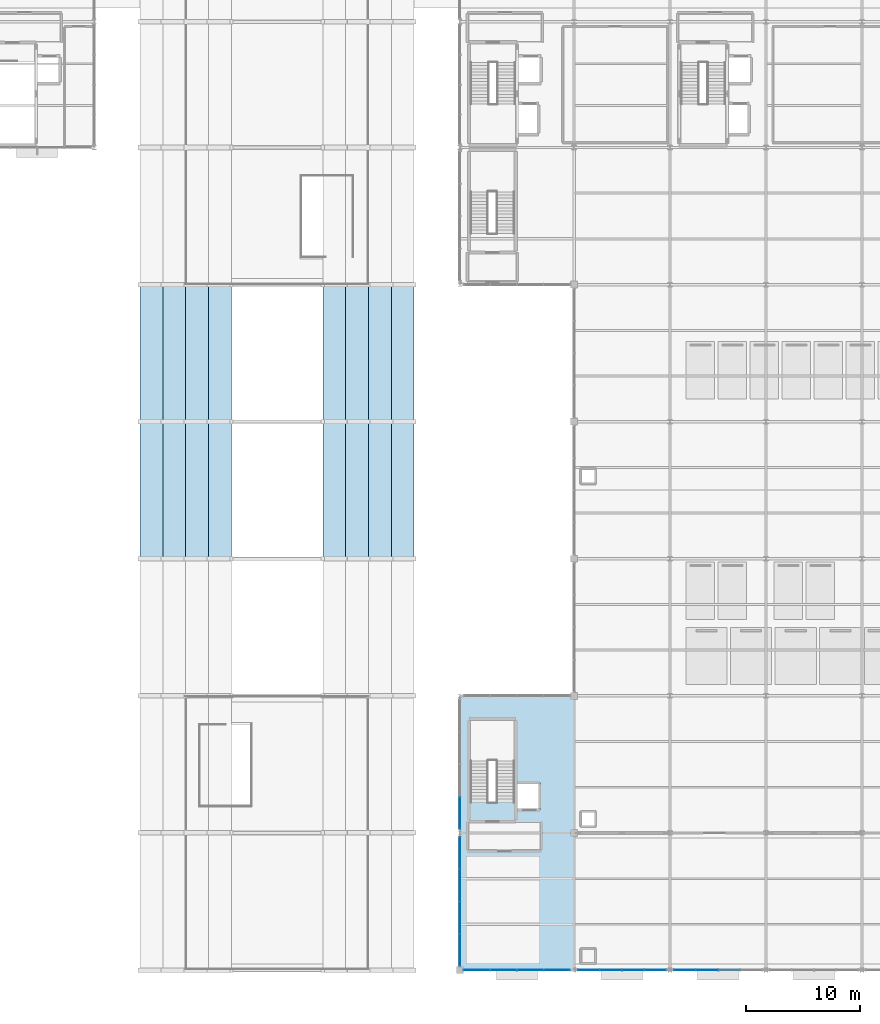
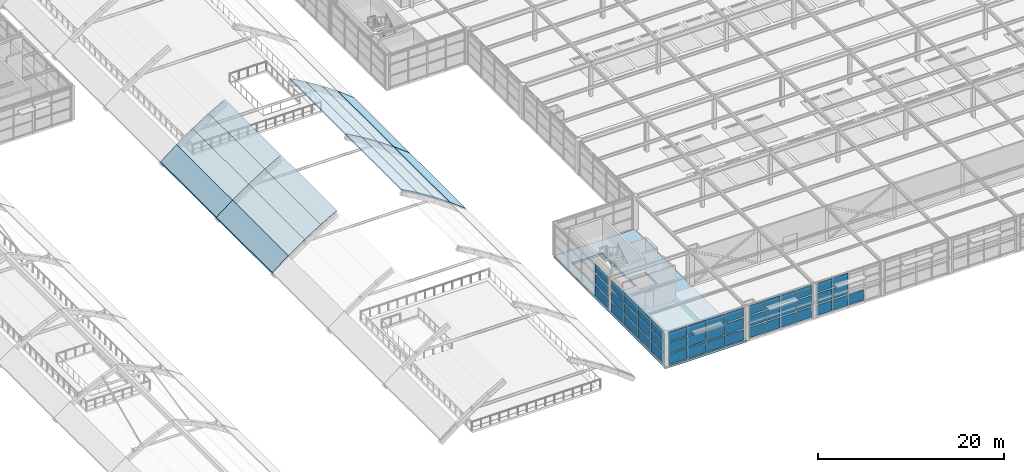
# One storey, part 45 of 82: 46 plates, 17 slabs, 5 elements without a shape of their own.
"""IFC4 building model written with IfcOpenShell, lengths in metres."""

import ifcopenshell
import ifcopenshell.guid

model = None  # the IFC model being written
_history = None  # IfcOwnerHistory: only IFC2X3 demands one
_inside = {}  # id of a spatial element -> (the spatial element, [elements in it])
_under = {}  # id of a project, library or spatial element -> (it, [spatial elements below it])
_declared = {}  # id of a project -> (the project, [libraries it declares])
_typed = {}  # id of a type object -> (the type object, [elements of that type])
_made_of = {}  # id of a material, layer set ... -> (it, [elements and type objects made of it])


def new_model(schema):
    """Start an empty IFC model of exactly this schema.

    Asked for "IFC4X3", IfcOpenShell would pick the latest addendum, in which some entities
    have other attributes; the version numbers below select the first issue.
    IFC2X3 requires an IfcOwnerHistory on every rooted entity: one is made here for all.
    """
    global model, _history
    if schema == "IFC4X3":
        model = ifcopenshell.file(schema_version=(4, 3, 0, 0))
    else:
        model = ifcopenshell.file(schema=schema)
    _inside.clear()
    _under.clear()
    _declared.clear()
    _typed.clear()
    _made_of.clear()
    _history = None
    if model.schema == "IFC2X3":
        org = make("IfcOrganization", Name="unknown")
        user = make(
            "IfcPersonAndOrganization",
            ThePerson=make("IfcPerson", FamilyName="unknown"),
            TheOrganization=org,
        )
        app = make(
            "IfcApplication",
            ApplicationDeveloper=org,
            Version="unknown",
            ApplicationFullName="unknown",
            ApplicationIdentifier="unknown",
        )
        _history = make(
            "IfcOwnerHistory",
            OwningUser=user,
            OwningApplication=app,
            ChangeAction="ADDED",
            CreationDate=0,
        )
    return model


def make(cls, **values):
    """One entity of the class cls with the attributes given. An attribute that is None is left unset."""
    return model.create_entity(
        cls, **{name: value for name, value in values.items() if value is not None}
    )


def rooted(cls, **values):
    """An entity with a GlobalId (a new one), such as an element, a storey or a relation."""
    return make(cls, GlobalId=ifcopenshell.guid.new(), OwnerHistory=_history, **values)


def si_unit(unit_type, name, prefix=None):
    """IfcSIUnit, for example si_unit("LENGTHUNIT", "METRE", prefix="MILLI")."""
    return make("IfcSIUnit", UnitType=unit_type, Prefix=prefix, Name=name)


def assignment(units):
    """IfcUnitAssignment: the units of a project."""
    return None if units is None else make("IfcUnitAssignment", Units=units)


def point(xyz):
    """IfcCartesianPoint."""
    return None if xyz is None else make("IfcCartesianPoint", Coordinates=xyz)


def direction(xyz):
    """IfcDirection."""
    return None if xyz is None else make("IfcDirection", DirectionRatios=xyz)


def frame(location, z_axis=None, x_axis=None):
    """IfcAxis2Placement3D, a coordinate frame: its origin and axes. An axis left out is left unset."""
    return make(
        "IfcAxis2Placement3D",
        Location=point(location),
        Axis=direction(z_axis),
        RefDirection=direction(x_axis),
    )


def frame_2d(location, x_axis=None):
    """IfcAxis2Placement2D, a coordinate frame in the plane: its origin and x axis."""
    return make(
        "IfcAxis2Placement2D", Location=point(location), RefDirection=direction(x_axis)
    )


def origin():
    """The frame at (0, 0, 0) with its axes left unset."""
    return frame((0.0, 0.0, 0.0))


def origin_2d():
    """The frame at (0, 0) in the plane with its x axis left unset."""
    return frame_2d((0.0, 0.0))


def place(relative_to, where):
    """IfcLocalPlacement: puts the frame where relative to a parent placement (None: the world)."""
    return make(
        "IfcLocalPlacement", PlacementRelTo=relative_to, RelativePlacement=where
    )


def context(
    kind, dimensions, precision=None, world=None, true_north=None, identifier=None
):
    """IfcGeometricRepresentationContext, for example the 3D "Model" context."""
    return make(
        "IfcGeometricRepresentationContext",
        ContextIdentifier=identifier,
        ContextType=kind,
        CoordinateSpaceDimension=dimensions,
        Precision=precision,
        WorldCoordinateSystem=world,
        TrueNorth=true_north,
    )


def subcontext(parent, identifier, kind, view, scale=None):
    """IfcGeometricRepresentationSubContext, for example "Body" below "Model"."""
    return make(
        "IfcGeometricRepresentationSubContext",
        ContextIdentifier=identifier,
        ContextType=kind,
        ParentContext=parent,
        TargetScale=scale,
        TargetView=view,
    )


def project(units=None, contexts=None):
    """IfcProject with its units and contexts."""
    return rooted(
        "IfcProject",
        Name="project",
        RepresentationContexts=contexts,
        UnitsInContext=assignment(units),
    )


def spatial(cls, under=None, at=None, **own):
    """A site, building, storey or space (cls), placed at a placement, below another one or the project."""
    s = rooted(cls, ObjectPlacement=at, **own)
    if under is not None:
        _under.setdefault(under.id(), (under, []))[1].append(s)
    return s


def polyline(points):
    """IfcPolyline through the points."""
    return make("IfcPolyline", Points=[point(p) for p in points])


def profile(cls, at=None, kind="AREA", **sizes):
    """A parametric profile (cls). Its sizes go by their IFC names, for example OverallWidth=200.0."""
    return make(cls, ProfileType=kind, Position=at, **sizes)


def rectangle(**sizes):
    """IfcRectangleProfileDef."""
    return profile("IfcRectangleProfileDef", **sizes)


def outline(outer, holes=None, kind="AREA"):
    """IfcArbitraryClosedProfileDef: a profile drawn as a closed curve; with holes, ...WithVoids."""
    if holes is None:
        return make("IfcArbitraryClosedProfileDef", ProfileType=kind, OuterCurve=outer)
    return make(
        "IfcArbitraryProfileDefWithVoids",
        ProfileType=kind,
        OuterCurve=outer,
        InnerCurves=holes,
    )


def extrude(swept, where, along, depth):
    """IfcExtrudedAreaSolid: the profile swept, set in the frame where, extruded along a direction by depth."""
    return make(
        "IfcExtrudedAreaSolid",
        SweptArea=swept,
        Position=where,
        ExtrudedDirection=direction(along),
        Depth=depth,
    )


def shape(context_of_items, identifier, shape_type, items):
    """IfcShapeRepresentation: the items that make up one representation, for example the "Body"."""
    return make(
        "IfcShapeRepresentation",
        ContextOfItems=context_of_items,
        RepresentationIdentifier=identifier,
        RepresentationType=shape_type,
        Items=items,
    )


def material(Name=None, Category=None):
    """IfcMaterial."""
    return make("IfcMaterial", Name=Name, Category=Category)


def layer(
    of_material, thickness, ventilated=None, Name=None, Category=None, Priority=None
):
    """IfcMaterialLayer: one layer of a wall or slab, of a material (None: an air gap)."""
    return make(
        "IfcMaterialLayer",
        Material=of_material,
        LayerThickness=thickness,
        IsVentilated=ventilated,
        Name=Name,
        Category=Category,
        Priority=Priority,
    )


def layer_set(layers, Name=None):
    """IfcMaterialLayerSet."""
    return make("IfcMaterialLayerSet", MaterialLayers=layers, LayerSetName=Name)


def made_of(thing, what):
    """Note that an element or type object is made of a material, layer set ...; save() writes the relation."""
    if what is not None:
        _made_of.setdefault(what.id(), (what, []))[1].append(thing)
    return thing


def type_object(cls, material=None, **own):
    """A type object (cls), such as IfcWallType, which elements share."""
    return made_of(rooted(cls, **own), material)


def element(
    cls,
    number,
    at=None,
    inside=None,
    cuts=None,
    type_object=None,
    material=None,
    context=None,
    identifier="Body",
    shape_type=None,
    held_by="IfcProductDefinitionShape",
    body=None,
    shapes=None,
    **own,
):
    """One element of the class cls, such as IfcWall. Its Tag is "e" and its number.

    at: its placement. inside: the storey or other place that contains it. cuts: it is an
    opening in that element (IfcRelVoidsElement). A single representation is given by context,
    identifier, shape_type and body (its items); several are given by shapes. held_by: the class
    of the entity that holds the representations. save() writes the other relations.
    """
    e = rooted(cls, Tag="e%d" % number, ObjectPlacement=at, **own)
    if body is not None:
        shapes = [shape(context, identifier, shape_type, body)]
    if shapes is not None:
        e.Representation = make(held_by, Representations=shapes)
    if inside is not None:
        _inside.setdefault(inside.id(), (inside, []))[1].append(e)
    if cuts is not None:
        rooted(
            "IfcRelVoidsElement", RelatingBuildingElement=cuts, RelatedOpeningElement=e
        )
    if type_object is not None:
        _typed.setdefault(type_object.id(), (type_object, []))[1].append(e)
    return made_of(e, material)


def aggregate(whole, parts):
    """IfcRelAggregates: a whole, such as a stair, and the parts it consists of."""
    return rooted("IfcRelAggregates", RelatingObject=whole, RelatedObjects=parts)


def save(model, path):
    """Write the relations noted so far, then the file.

    IfcRelAggregates (storeys below a building ...), IfcRelContainedInSpatialStructure (elements
    in a storey), IfcRelDefinesByType, IfcRelAssociatesMaterial and IfcRelDeclares: one each for
    every whole, place, type object, material and project.
    """
    for whole, parts in _under.values():
        aggregate(whole, parts)
    for where, things in _inside.values():
        rooted(
            "IfcRelContainedInSpatialStructure",
            RelatedElements=things,
            RelatingStructure=where,
        )
    for kind, things in _typed.values():
        rooted("IfcRelDefinesByType", RelatedObjects=things, RelatingType=kind)
    for what, things in _made_of.values():
        rooted("IfcRelAssociatesMaterial", RelatedObjects=things, RelatingMaterial=what)
    for by, libraries in _declared.values():
        rooted("IfcRelDeclares", RelatingContext=by, RelatedDefinitions=libraries)
    model.write(path)


model = new_model("IFC4")

# Units and contexts
model_context = context("Model", 3, precision=1e-05, world=origin(), true_north=direction((0.0, 1.0)))
body_context = subcontext(model_context, "Body", "Model", "MODEL_VIEW")
ifc_project = project(units=[si_unit("LENGTHUNIT", "METRE"), si_unit("AREAUNIT", "SQUARE_METRE"), si_unit("VOLUMEUNIT", "CUBIC_METRE"), si_unit("PLANEANGLEUNIT", "RADIAN"), si_unit("MASSUNIT", "GRAM", prefix="KILO")], contexts=[model_context])

# Site, building, storey
site_placement = place(None, origin())
site = spatial("IfcSite", under=ifc_project, at=site_placement, CompositionType="ELEMENT")
building_placement = place(site_placement, origin())
building = spatial("IfcBuilding", under=site, at=building_placement, Name="Sitalva Quay Ferry Terminal", CompositionType="ELEMENT")
storey_placement = place(building_placement, frame((0.0, 0.0, 5.39990234375)))
storey = spatial("IfcBuildingStorey", under=building, at=storey_placement, Name="L02", CompositionType="ELEMENT", Elevation=5.39990234375)

# Curtain wall, plates
ifc_material_1 = material(Name="Anodised Aluminium & Low-E Glazing", Category="aluminium")
ifc_layer_1 = layer(ifc_material_1, 0.159912109375)
ifc_layer_set_1 = layer_set([ifc_layer_1], Name="Anodised Aluminium & Low-E Glazing")
curtain_wall_type_1 = type_object("IfcCurtainWallType", Name="CW_Podium_Stick", PredefinedType="USERDEFINED", material=ifc_layer_set_1)
curtain_wall_1_placement = place(storey_placement, origin())
curtain_wall_1 = element("IfcCurtainWall", 1, at=curtain_wall_1_placement, inside=storey, type_object=curtain_wall_type_1, Name="L02 spine west clerestory over V1 eaves (CW-L02-083)", ObjectType="CURTAIN_WALL", PredefinedType="USERDEFINED")
ifc_material_2 = material(Name="Laminated Low-E Double Glazing", Category="glass")
ifc_layer_2 = layer(ifc_material_2, 0.028076171875)
ifc_layer_set_2 = layer_set([ifc_layer_2], Name="Laminated Low-E Double Glazing")
plate_type_1 = type_object("IfcPlateType", Name="Panel_LowE_IGU_28", PredefinedType="CURTAIN_PANEL", material=ifc_layer_set_2)
plate_1_placement = place(storey_placement, frame((74.0, 7.739990234375, 0.1552734375), z_axis=(0.0, 0.0, 1.0), x_axis=(0.0, 1.0, 0.0)))
plate_1 = element("IfcPlate", 2, at=plate_1_placement, type_object=plate_type_1, Name="CW-L02-083-P0-0", PredefinedType="CURTAIN_PANEL", context=body_context, shape_type="SweptSolid", body=[
    extrude(rectangle(XDim=2.764892578125, YDim=0.028076171875, at=origin_2d()), origin(), (0.0, 0.0, 1.0), 1.344970703125),
])
plate_2_placement = place(storey_placement, frame((74.0, 7.739990234375, 1.6552734375), z_axis=(0.0, 0.0, 1.0), x_axis=(0.0, 1.0, 0.0)))
plate_2 = element("IfcPlate", 3, at=plate_2_placement, type_object=plate_type_1, Name="CW-L02-083-P0-1", PredefinedType="CURTAIN_PANEL", context=body_context, shape_type="SweptSolid", body=[
    extrude(rectangle(XDim=2.764892578125, YDim=0.028076171875, at=origin_2d()), origin(), (0.0, 0.0, 1.0), 1.344970703125),
])
plate_3_placement = place(storey_placement, frame((74.0, 7.739990234375, 3.155029296875), z_axis=(0.0, 0.0, 1.0), x_axis=(0.0, 1.0, 0.0)))
plate_3 = element("IfcPlate", 4, at=plate_3_placement, type_object=plate_type_1, Name="CW-L02-083-P0-2", PredefinedType="CURTAIN_PANEL", context=body_context, shape_type="SweptSolid", body=[
    extrude(rectangle(XDim=2.764892578125, YDim=0.028076171875, at=origin_2d()), origin(), (0.0, 0.0, 1.0), 1.18994140625),
])
plate_4_placement = place(storey_placement, frame((74.0, 10.580078125, 0.1552734375), z_axis=(0.0, 0.0, 1.0), x_axis=(0.0, 1.0, 0.0)))
plate_4 = element("IfcPlate", 5, at=plate_4_placement, type_object=plate_type_1, Name="CW-L02-083-P1-0", PredefinedType="CURTAIN_PANEL", context=body_context, shape_type="SweptSolid", body=[
    extrude(rectangle(XDim=2.764892578125, YDim=0.028076171875, at=origin_2d()), origin(), (0.0, 0.0, 1.0), 1.344970703125),
])
plate_5_placement = place(storey_placement, frame((74.0, 10.580078125, 1.6552734375), z_axis=(0.0, 0.0, 1.0), x_axis=(0.0, 1.0, 0.0)))
plate_5 = element("IfcPlate", 6, at=plate_5_placement, type_object=plate_type_1, Name="CW-L02-083-P1-1", PredefinedType="CURTAIN_PANEL", context=body_context, shape_type="SweptSolid", body=[
    extrude(rectangle(XDim=2.764892578125, YDim=0.028076171875, at=origin_2d()), origin(), (0.0, 0.0, 1.0), 1.344970703125),
])
plate_6_placement = place(storey_placement, frame((74.0, 10.580078125, 3.155029296875), z_axis=(0.0, 0.0, 1.0), x_axis=(0.0, 1.0, 0.0)))
plate_6 = element("IfcPlate", 7, at=plate_6_placement, type_object=plate_type_1, Name="CW-L02-083-P1-2", PredefinedType="CURTAIN_PANEL", context=body_context, shape_type="SweptSolid", body=[
    extrude(rectangle(XDim=2.764892578125, YDim=0.028076171875, at=origin_2d()), origin(), (0.0, 0.0, 1.0), 1.18994140625),
])
plate_7_placement = place(storey_placement, frame((74.0, 13.419921875, 0.1552734375), z_axis=(0.0, 0.0, 1.0), x_axis=(0.0, 1.0, 0.0)))
plate_7 = element("IfcPlate", 8, at=plate_7_placement, type_object=plate_type_1, Name="CW-L02-083-P2-0", PredefinedType="CURTAIN_PANEL", context=body_context, shape_type="SweptSolid", body=[
    extrude(rectangle(XDim=2.764892578125, YDim=0.028076171875, at=origin_2d()), origin(), (0.0, 0.0, 1.0), 1.344970703125),
])
plate_8_placement = place(storey_placement, frame((74.0, 13.419921875, 1.6552734375), z_axis=(0.0, 0.0, 1.0), x_axis=(0.0, 1.0, 0.0)))
plate_8 = element("IfcPlate", 9, at=plate_8_placement, type_object=plate_type_1, Name="CW-L02-083-P2-1", PredefinedType="CURTAIN_PANEL", context=body_context, shape_type="SweptSolid", body=[
    extrude(rectangle(XDim=2.764892578125, YDim=0.028076171875, at=origin_2d()), origin(), (0.0, 0.0, 1.0), 1.344970703125),
])
plate_9_placement = place(storey_placement, frame((74.0, 13.419921875, 3.155029296875), z_axis=(0.0, 0.0, 1.0), x_axis=(0.0, 1.0, 0.0)))
plate_9 = element("IfcPlate", 10, at=plate_9_placement, type_object=plate_type_1, Name="CW-L02-083-P2-2", PredefinedType="CURTAIN_PANEL", context=body_context, shape_type="SweptSolid", body=[
    extrude(rectangle(XDim=2.764892578125, YDim=0.028076171875, at=origin_2d()), origin(), (0.0, 0.0, 1.0), 1.18994140625),
])
plate_10_placement = place(storey_placement, frame((74.0, 16.260009765625, 0.1552734375), z_axis=(0.0, 0.0, 1.0), x_axis=(0.0, 1.0, 0.0)))
plate_10 = element("IfcPlate", 11, at=plate_10_placement, type_object=plate_type_1, Name="CW-L02-083-P3-0", PredefinedType="CURTAIN_PANEL", context=body_context, shape_type="SweptSolid", body=[
    extrude(rectangle(XDim=2.764892578125, YDim=0.028076171875, at=origin_2d()), origin(), (0.0, 0.0, 1.0), 1.344970703125),
])
plate_11_placement = place(storey_placement, frame((74.0, 16.260009765625, 1.6552734375), z_axis=(0.0, 0.0, 1.0), x_axis=(0.0, 1.0, 0.0)))
plate_11 = element("IfcPlate", 12, at=plate_11_placement, type_object=plate_type_1, Name="CW-L02-083-P3-1", PredefinedType="CURTAIN_PANEL", context=body_context, shape_type="SweptSolid", body=[
    extrude(rectangle(XDim=2.764892578125, YDim=0.028076171875, at=origin_2d()), origin(), (0.0, 0.0, 1.0), 1.344970703125),
])
plate_12_placement = place(storey_placement, frame((74.0, 16.260009765625, 3.155029296875), z_axis=(0.0, 0.0, 1.0), x_axis=(0.0, 1.0, 0.0)))
plate_12 = element("IfcPlate", 13, at=plate_12_placement, type_object=plate_type_1, Name="CW-L02-083-P3-2", PredefinedType="CURTAIN_PANEL", context=body_context, shape_type="SweptSolid", body=[
    extrude(rectangle(XDim=2.764892578125, YDim=0.028076171875, at=origin_2d()), origin(), (0.0, 0.0, 1.0), 1.18994140625),
])
aggregate(curtain_wall_1, [plate_1, plate_2, plate_3, plate_4, plate_5, plate_6, plate_7, plate_8, plate_9, plate_10, plate_11, plate_12])

curtain_wall_2_placement = place(storey_placement, origin())
curtain_wall_2 = element("IfcCurtainWall", 14, at=curtain_wall_2_placement, inside=storey, type_object=curtain_wall_type_1, Name="L02 spine west clerestory over V1 eaves (CW-L02-084)", ObjectType="CURTAIN_WALL", PredefinedType="USERDEFINED")
plate_13_placement = place(storey_placement, frame((74.0, 19.739990234375, 0.1552734375), z_axis=(0.0, 0.0, 1.0), x_axis=(0.0, 1.0, 0.0)))
plate_13 = element("IfcPlate", 15, at=plate_13_placement, type_object=plate_type_1, Name="CW-L02-084-P0-0", PredefinedType="CURTAIN_PANEL", context=body_context, shape_type="SweptSolid", body=[
    extrude(rectangle(XDim=2.764892578125, YDim=0.028076171875, at=origin_2d()), origin(), (0.0, 0.0, 1.0), 1.344970703125),
])
plate_14_placement = place(storey_placement, frame((74.0, 19.739990234375, 1.6552734375), z_axis=(0.0, 0.0, 1.0), x_axis=(0.0, 1.0, 0.0)))
plate_14 = element("IfcPlate", 16, at=plate_14_placement, type_object=plate_type_1, Name="CW-L02-084-P0-1", PredefinedType="CURTAIN_PANEL", context=body_context, shape_type="SweptSolid", body=[
    extrude(rectangle(XDim=2.764892578125, YDim=0.028076171875, at=origin_2d()), origin(), (0.0, 0.0, 1.0), 1.344970703125),
])
plate_15_placement = place(storey_placement, frame((74.0, 19.739990234375, 3.155029296875), z_axis=(0.0, 0.0, 1.0), x_axis=(0.0, 1.0, 0.0)))
plate_15 = element("IfcPlate", 17, at=plate_15_placement, type_object=plate_type_1, Name="CW-L02-084-P0-2", PredefinedType="CURTAIN_PANEL", context=body_context, shape_type="SweptSolid", body=[
    extrude(rectangle(XDim=2.764892578125, YDim=0.028076171875, at=origin_2d()), origin(), (0.0, 0.0, 1.0), 1.18994140625),
])
aggregate(curtain_wall_2, [plate_13, plate_14, plate_15])

ifc_material_3 = material(Name="Anodised Aluminium & Low-E Glazing", Category="aluminium")
ifc_layer_3 = layer(ifc_material_3, 0.159912109375)
ifc_layer_set_3 = layer_set([ifc_layer_3], Name="Anodised Aluminium & Low-E Glazing")
curtain_wall_type_2 = type_object("IfcCurtainWallType", Name="CW_Concourse_Unitised", PredefinedType="USERDEFINED", material=ifc_layer_set_3)
curtain_wall_3_placement = place(storey_placement, origin())
curtain_wall_3 = element("IfcCurtainWall", 18, at=curtain_wall_3_placement, inside=storey, type_object=curtain_wall_type_2, Name="L02 waterfront boarding concourse glazing (CW-L02-057)", ObjectType="CURTAIN_WALL", PredefinedType="USERDEFINED")
ifc_material_4 = material(Name="Acoustic Laminated Marine Glazing", Category="glass")
ifc_layer_4 = layer(ifc_material_4, 0.033935546875)
ifc_layer_set_4 = layer_set([ifc_layer_4], Name="Acoustic Laminated Marine Glazing")
plate_type_2 = type_object("IfcPlateType", Name="Panel_Marine_IGU_34", PredefinedType="CURTAIN_PANEL", material=ifc_layer_set_4)
plate_16_placement = place(storey_placement, frame((75.489990234375, 6.0, 1.66357421875), z_axis=(0.0, 0.0, 1.0), x_axis=(1.0, 0.0, 0.0)))
plate_16 = element("IfcPlate", 19, at=plate_16_placement, type_object=plate_type_2, Name="CW-L02-057-P0-1", PredefinedType="CURTAIN_PANEL", context=body_context, shape_type="SweptSolid", body=[
    extrude(rectangle(XDim=2.2548828125, YDim=0.033935546875, at=origin_2d()), origin(), (0.0, 0.0, 1.0), 1.36328125),
])
plate_17_placement = place(storey_placement, frame((75.489990234375, 6.0, 3.1767578125), z_axis=(0.0, 0.0, 1.0), x_axis=(1.0, 0.0, 0.0)))
plate_17 = element("IfcPlate", 20, at=plate_17_placement, type_object=plate_type_2, Name="CW-L02-057-P0-2", PredefinedType="CURTAIN_PANEL", context=body_context, shape_type="SweptSolid", body=[
    extrude(rectangle(XDim=2.2548828125, YDim=0.033935546875, at=origin_2d()), origin(), (0.0, 0.0, 1.0), 1.21337890625),
])
plate_18_placement = place(storey_placement, frame((77.830078125, 6.0, 1.66357421875), z_axis=(0.0, 0.0, 1.0), x_axis=(1.0, 0.0, 0.0)))
plate_18 = element("IfcPlate", 21, at=plate_18_placement, type_object=plate_type_2, Name="CW-L02-057-P1-1", PredefinedType="CURTAIN_PANEL", context=body_context, shape_type="SweptSolid", body=[
    extrude(rectangle(XDim=2.2548828125, YDim=0.033935546875, at=origin_2d()), origin(), (0.0, 0.0, 1.0), 1.36328125),
])
plate_19_placement = place(storey_placement, frame((77.830078125, 6.0, 3.1767578125), z_axis=(0.0, 0.0, 1.0), x_axis=(1.0, 0.0, 0.0)))
plate_19 = element("IfcPlate", 22, at=plate_19_placement, type_object=plate_type_2, Name="CW-L02-057-P1-2", PredefinedType="CURTAIN_PANEL", context=body_context, shape_type="SweptSolid", body=[
    extrude(rectangle(XDim=2.2548828125, YDim=0.033935546875, at=origin_2d()), origin(), (0.0, 0.0, 1.0), 1.21337890625),
])
plate_20_placement = place(storey_placement, frame((80.169921875, 6.0, 1.66357421875), z_axis=(0.0, 0.0, 1.0), x_axis=(1.0, 0.0, 0.0)))
plate_20 = element("IfcPlate", 23, at=plate_20_placement, type_object=plate_type_2, Name="CW-L02-057-P2-1", PredefinedType="CURTAIN_PANEL", context=body_context, shape_type="SweptSolid", body=[
    extrude(rectangle(XDim=2.2548828125, YDim=0.033935546875, at=origin_2d()), origin(), (0.0, 0.0, 1.0), 1.36328125),
])
plate_21_placement = place(storey_placement, frame((80.169921875, 6.0, 3.1767578125), z_axis=(0.0, 0.0, 1.0), x_axis=(1.0, 0.0, 0.0)))
plate_21 = element("IfcPlate", 24, at=plate_21_placement, type_object=plate_type_2, Name="CW-L02-057-P2-2", PredefinedType="CURTAIN_PANEL", context=body_context, shape_type="SweptSolid", body=[
    extrude(rectangle(XDim=2.2548828125, YDim=0.033935546875, at=origin_2d()), origin(), (0.0, 0.0, 1.0), 1.21337890625),
])
plate_22_placement = place(storey_placement, frame((82.510009765625, 6.0, 1.66357421875), z_axis=(0.0, 0.0, 1.0), x_axis=(1.0, 0.0, 0.0)))
plate_22 = element("IfcPlate", 25, at=plate_22_placement, type_object=plate_type_2, Name="CW-L02-057-P3-1", PredefinedType="CURTAIN_PANEL", context=body_context, shape_type="SweptSolid", body=[
    extrude(rectangle(XDim=2.2548828125, YDim=0.033935546875, at=origin_2d()), origin(), (0.0, 0.0, 1.0), 1.36328125),
])
plate_23_placement = place(storey_placement, frame((82.510009765625, 6.0, 3.1767578125), z_axis=(0.0, 0.0, 1.0), x_axis=(1.0, 0.0, 0.0)))
plate_23 = element("IfcPlate", 26, at=plate_23_placement, type_object=plate_type_2, Name="CW-L02-057-P3-2", PredefinedType="CURTAIN_PANEL", context=body_context, shape_type="SweptSolid", body=[
    extrude(rectangle(XDim=2.2548828125, YDim=0.033935546875, at=origin_2d()), origin(), (0.0, 0.0, 1.0), 1.21337890625),
])

curtain_wall_4_placement = place(storey_placement, origin())
curtain_wall_4 = element("IfcCurtainWall", 27, at=curtain_wall_4_placement, inside=storey, type_object=curtain_wall_type_2, Name="L02 waterfront boarding concourse glazing (CW-L02-059)", ObjectType="CURTAIN_WALL", PredefinedType="USERDEFINED")
plate_24_placement = place(storey_placement, frame((85.2900390625, 6.0, 0.150146484375), z_axis=(0.0, 0.0, 1.0), x_axis=(1.0, 0.0, 0.0)))
plate_24 = element("IfcPlate", 28, at=plate_24_placement, type_object=plate_type_2, Name="CW-L02-059-P0-0", PredefinedType="CURTAIN_PANEL", context=body_context, shape_type="SweptSolid", body=[
    extrude(rectangle(XDim=1.85498046875, YDim=0.033935546875, at=origin_2d()), origin(), (0.0, 0.0, 1.0), 1.36328125),
])
plate_25_placement = place(storey_placement, frame((85.2900390625, 6.0, 1.66357421875), z_axis=(0.0, 0.0, 1.0), x_axis=(1.0, 0.0, 0.0)))
plate_25 = element("IfcPlate", 29, at=plate_25_placement, type_object=plate_type_2, Name="CW-L02-059-P0-1", PredefinedType="CURTAIN_PANEL", context=body_context, shape_type="SweptSolid", body=[
    extrude(rectangle(XDim=1.85498046875, YDim=0.033935546875, at=origin_2d()), origin(), (0.0, 0.0, 1.0), 1.36328125),
])
plate_26_placement = place(storey_placement, frame((85.2900390625, 6.0, 3.1767578125), z_axis=(0.0, 0.0, 1.0), x_axis=(1.0, 0.0, 0.0)))
plate_26 = element("IfcPlate", 30, at=plate_26_placement, type_object=plate_type_2, Name="CW-L02-059-P0-2", PredefinedType="CURTAIN_PANEL", context=body_context, shape_type="SweptSolid", body=[
    extrude(rectangle(XDim=1.85498046875, YDim=0.033935546875, at=origin_2d()), origin(), (0.0, 0.0, 1.0), 1.21337890625),
])
plate_27_placement = place(storey_placement, frame((87.22998046875, 6.0, 0.150146484375), z_axis=(0.0, 0.0, 1.0), x_axis=(1.0, 0.0, 0.0)))
plate_27 = element("IfcPlate", 31, at=plate_27_placement, type_object=plate_type_2, Name="CW-L02-059-P1-0", PredefinedType="CURTAIN_PANEL", context=body_context, shape_type="SweptSolid", body=[
    extrude(rectangle(XDim=1.85498046875, YDim=0.033935546875, at=origin_2d()), origin(), (0.0, 0.0, 1.0), 1.36328125),
])
plate_28_placement = place(storey_placement, frame((87.22998046875, 6.0, 1.66357421875), z_axis=(0.0, 0.0, 1.0), x_axis=(1.0, 0.0, 0.0)))
plate_28 = element("IfcPlate", 32, at=plate_28_placement, type_object=plate_type_2, Name="CW-L02-059-P1-1", PredefinedType="CURTAIN_PANEL", context=body_context, shape_type="SweptSolid", body=[
    extrude(rectangle(XDim=1.85498046875, YDim=0.033935546875, at=origin_2d()), origin(), (0.0, 0.0, 1.0), 1.36328125),
])
plate_29_placement = place(storey_placement, frame((87.22998046875, 6.0, 3.1767578125), z_axis=(0.0, 0.0, 1.0), x_axis=(1.0, 0.0, 0.0)))
plate_29 = element("IfcPlate", 33, at=plate_29_placement, type_object=plate_type_2, Name="CW-L02-059-P1-2", PredefinedType="CURTAIN_PANEL", context=body_context, shape_type="SweptSolid", body=[
    extrude(rectangle(XDim=1.85498046875, YDim=0.033935546875, at=origin_2d()), origin(), (0.0, 0.0, 1.0), 1.21337890625),
])
plate_30_placement = place(storey_placement, frame((89.169921875, 6.0, 0.150146484375), z_axis=(0.0, 0.0, 1.0), x_axis=(1.0, 0.0, 0.0)))
plate_30 = element("IfcPlate", 34, at=plate_30_placement, type_object=plate_type_2, Name="CW-L02-059-P2-0", PredefinedType="CURTAIN_PANEL", context=body_context, shape_type="SweptSolid", body=[
    extrude(rectangle(XDim=1.85498046875, YDim=0.033935546875, at=origin_2d()), origin(), (0.0, 0.0, 1.0), 1.36328125),
])
plate_31_placement = place(storey_placement, frame((89.169921875, 6.0, 1.66357421875), z_axis=(0.0, 0.0, 1.0), x_axis=(1.0, 0.0, 0.0)))
plate_31 = element("IfcPlate", 35, at=plate_31_placement, type_object=plate_type_2, Name="CW-L02-059-P2-1", PredefinedType="CURTAIN_PANEL", context=body_context, shape_type="SweptSolid", body=[
    extrude(rectangle(XDim=1.85498046875, YDim=0.033935546875, at=origin_2d()), origin(), (0.0, 0.0, 1.0), 1.36328125),
])
plate_32_placement = place(storey_placement, frame((89.169921875, 6.0, 3.1767578125), z_axis=(0.0, 0.0, 1.0), x_axis=(1.0, 0.0, 0.0)))
plate_32 = element("IfcPlate", 36, at=plate_32_placement, type_object=plate_type_2, Name="CW-L02-059-P2-2", PredefinedType="CURTAIN_PANEL", context=body_context, shape_type="SweptSolid", body=[
    extrude(rectangle(XDim=1.85498046875, YDim=0.033935546875, at=origin_2d()), origin(), (0.0, 0.0, 1.0), 1.21337890625),
])
plate_33_placement = place(storey_placement, frame((91.110107421875, 6.0, 0.150146484375), z_axis=(0.0, 0.0, 1.0), x_axis=(1.0, 0.0, 0.0)))
plate_33 = element("IfcPlate", 37, at=plate_33_placement, type_object=plate_type_2, Name="CW-L02-059-P3-0", PredefinedType="CURTAIN_PANEL", context=body_context, shape_type="SweptSolid", body=[
    extrude(rectangle(XDim=1.85498046875, YDim=0.033935546875, at=origin_2d()), origin(), (0.0, 0.0, 1.0), 1.36328125),
])
plate_34_placement = place(storey_placement, frame((91.110107421875, 6.0, 1.66357421875), z_axis=(0.0, 0.0, 1.0), x_axis=(1.0, 0.0, 0.0)))
plate_34 = element("IfcPlate", 38, at=plate_34_placement, type_object=plate_type_2, Name="CW-L02-059-P3-1", PredefinedType="CURTAIN_PANEL", context=body_context, shape_type="SweptSolid", body=[
    extrude(rectangle(XDim=1.85498046875, YDim=0.033935546875, at=origin_2d()), origin(), (0.0, 0.0, 1.0), 1.36328125),
])
plate_35_placement = place(storey_placement, frame((91.110107421875, 6.0, 3.1767578125), z_axis=(0.0, 0.0, 1.0), x_axis=(1.0, 0.0, 0.0)))
plate_35 = element("IfcPlate", 39, at=plate_35_placement, type_object=plate_type_2, Name="CW-L02-059-P3-2", PredefinedType="CURTAIN_PANEL", context=body_context, shape_type="SweptSolid", body=[
    extrude(rectangle(XDim=1.85498046875, YDim=0.033935546875, at=origin_2d()), origin(), (0.0, 0.0, 1.0), 1.21337890625),
])
aggregate(curtain_wall_4, [plate_24, plate_25, plate_26, plate_27, plate_28, plate_29, plate_30, plate_31, plate_32, plate_33, plate_34, plate_35])

curtain_wall_5_placement = place(storey_placement, origin())
curtain_wall_5 = element("IfcCurtainWall", 40, at=curtain_wall_5_placement, inside=storey, type_object=curtain_wall_type_2, Name="L02 waterfront boarding concourse glazing (CW-L02-060)", ObjectType="CURTAIN_WALL", PredefinedType="USERDEFINED")
plate_36_placement = place(storey_placement, frame((93.68994140625, 6.0, 1.66357421875), z_axis=(0.0, 0.0, 1.0), x_axis=(1.0, 0.0, 0.0)))
plate_36 = element("IfcPlate", 41, at=plate_36_placement, type_object=plate_type_2, Name="CW-L02-060-P0-1", PredefinedType="CURTAIN_PANEL", context=body_context, shape_type="SweptSolid", body=[
    extrude(rectangle(XDim=1.85498046875, YDim=0.033935546875, at=origin_2d()), origin(), (0.0, 0.0, 1.0), 1.36328125),
])
plate_37_placement = place(storey_placement, frame((93.68994140625, 6.0, 3.1767578125), z_axis=(0.0, 0.0, 1.0), x_axis=(1.0, 0.0, 0.0)))
plate_37 = element("IfcPlate", 42, at=plate_37_placement, type_object=plate_type_2, Name="CW-L02-060-P0-2", PredefinedType="CURTAIN_PANEL", context=body_context, shape_type="SweptSolid", body=[
    extrude(rectangle(XDim=1.85498046875, YDim=0.033935546875, at=origin_2d()), origin(), (0.0, 0.0, 1.0), 1.21337890625),
])
plate_38_placement = place(storey_placement, frame((95.6298828125, 6.0, 1.66357421875), z_axis=(0.0, 0.0, 1.0), x_axis=(1.0, 0.0, 0.0)))
plate_38 = element("IfcPlate", 43, at=plate_38_placement, type_object=plate_type_2, Name="CW-L02-060-P1-1", PredefinedType="CURTAIN_PANEL", context=body_context, shape_type="SweptSolid", body=[
    extrude(rectangle(XDim=1.85498046875, YDim=0.033935546875, at=origin_2d()), origin(), (0.0, 0.0, 1.0), 1.36328125),
])
plate_39_placement = place(storey_placement, frame((95.6298828125, 6.0, 3.1767578125), z_axis=(0.0, 0.0, 1.0), x_axis=(1.0, 0.0, 0.0)))
plate_39 = element("IfcPlate", 44, at=plate_39_placement, type_object=plate_type_2, Name="CW-L02-060-P1-2", PredefinedType="CURTAIN_PANEL", context=body_context, shape_type="SweptSolid", body=[
    extrude(rectangle(XDim=1.85498046875, YDim=0.033935546875, at=origin_2d()), origin(), (0.0, 0.0, 1.0), 1.21337890625),
])

# Plate
ifc_material_5 = material(Name="Insulated Spandrel Cassette", Category="aluminium")
ifc_layer_5 = layer(ifc_material_5, 0.0400390625)
ifc_layer_set_5 = layer_set([ifc_layer_5], Name="Insulated Spandrel Cassette")
plate_type_3 = type_object("IfcPlateType", Name="Panel_Spandrel_Alu_40", PredefinedType="CURTAIN_PANEL", material=ifc_layer_set_5)
plate_40_placement = place(storey_placement, frame((75.489990234375, 6.0, 0.150146484375), z_axis=(0.0, 0.0, 1.0), x_axis=(1.0, 0.0, 0.0)))
plate_40 = element("IfcPlate", 45, at=plate_40_placement, type_object=plate_type_3, Name="CW-L02-057-P0-0", PredefinedType="CURTAIN_PANEL", context=body_context, shape_type="SweptSolid", body=[
    extrude(rectangle(XDim=2.2548828125, YDim=0.0400390625, at=origin_2d()), origin(), (0.0, 0.0, 1.0), 1.36328125),
])

plate_41_placement = place(storey_placement, frame((77.830078125, 6.0, 0.150146484375), z_axis=(0.0, 0.0, 1.0), x_axis=(1.0, 0.0, 0.0)))
plate_41 = element("IfcPlate", 46, at=plate_41_placement, type_object=plate_type_3, Name="CW-L02-057-P1-0", PredefinedType="CURTAIN_PANEL", context=body_context, shape_type="SweptSolid", body=[
    extrude(rectangle(XDim=2.2548828125, YDim=0.0400390625, at=origin_2d()), origin(), (0.0, 0.0, 1.0), 1.36328125),
])

plate_42_placement = place(storey_placement, frame((80.169921875, 6.0, 0.150146484375), z_axis=(0.0, 0.0, 1.0), x_axis=(1.0, 0.0, 0.0)))
plate_42 = element("IfcPlate", 47, at=plate_42_placement, type_object=plate_type_3, Name="CW-L02-057-P2-0", PredefinedType="CURTAIN_PANEL", context=body_context, shape_type="SweptSolid", body=[
    extrude(rectangle(XDim=2.2548828125, YDim=0.0400390625, at=origin_2d()), origin(), (0.0, 0.0, 1.0), 1.36328125),
])

plate_43_placement = place(storey_placement, frame((82.510009765625, 6.0, 0.150146484375), z_axis=(0.0, 0.0, 1.0), x_axis=(1.0, 0.0, 0.0)))
plate_43 = element("IfcPlate", 48, at=plate_43_placement, type_object=plate_type_3, Name="CW-L02-057-P3-0", PredefinedType="CURTAIN_PANEL", context=body_context, shape_type="SweptSolid", body=[
    extrude(rectangle(XDim=2.2548828125, YDim=0.0400390625, at=origin_2d()), origin(), (0.0, 0.0, 1.0), 1.36328125),
])

aggregate(curtain_wall_3, [plate_40, plate_16, plate_17, plate_41, plate_18, plate_19, plate_42, plate_20, plate_21, plate_43, plate_22, plate_23])

plate_44_placement = place(storey_placement, frame((93.68994140625, 6.0, 0.150146484375), z_axis=(0.0, 0.0, 1.0), x_axis=(1.0, 0.0, 0.0)))
plate_44 = element("IfcPlate", 49, at=plate_44_placement, type_object=plate_type_3, Name="CW-L02-060-P0-0", PredefinedType="CURTAIN_PANEL", context=body_context, shape_type="SweptSolid", body=[
    extrude(rectangle(XDim=1.85498046875, YDim=0.0400390625, at=origin_2d()), origin(), (0.0, 0.0, 1.0), 1.36328125),
])

plate_45_placement = place(storey_placement, frame((95.6298828125, 6.0, 0.150146484375), z_axis=(0.0, 0.0, 1.0), x_axis=(1.0, 0.0, 0.0)))
plate_45 = element("IfcPlate", 50, at=plate_45_placement, type_object=plate_type_3, Name="CW-L02-060-P1-0", PredefinedType="CURTAIN_PANEL", context=body_context, shape_type="SweptSolid", body=[
    extrude(rectangle(XDim=1.85498046875, YDim=0.0400390625, at=origin_2d()), origin(), (0.0, 0.0, 1.0), 1.36328125),
])

plate_46_placement = place(storey_placement, frame((97.570068359375, 6.0, 0.150146484375), z_axis=(0.0, 0.0, 1.0), x_axis=(1.0, 0.0, 0.0)))
plate_46 = element("IfcPlate", 51, at=plate_46_placement, type_object=plate_type_3, Name="CW-L02-060-P2-0", PredefinedType="CURTAIN_PANEL", context=body_context, shape_type="SweptSolid", body=[
    extrude(rectangle(XDim=1.85498046875, YDim=0.0400390625, at=origin_2d()), origin(), (0.0, 0.0, 1.0), 1.36328125),
])

aggregate(curtain_wall_5, [plate_44, plate_36, plate_37, plate_45, plate_38, plate_39, plate_46])

# Slabs
ifc_material_6 = material(Name="Concrete C35/45", Category="concrete")
ifc_layer_6 = layer(ifc_material_6, 0.280029296875)
ifc_layer_set_6 = layer_set([ifc_layer_6], Name="Concrete C35/45")
slab_type_1 = type_object("IfcSlabType", Name="Slab_Concourse_280", PredefinedType="FLOOR", material=ifc_layer_set_6)
slab_1_placement = place(storey_placement, frame((0.0, 0.0, -0.27978515625)))
element("IfcSlab", 52, at=slab_1_placement, inside=storey, type_object=slab_type_1, Name="L02 South promenade prow L02 036", PredefinedType="FLOOR", context=body_context, shape_type="SweptSolid", body=[
    extrude(outline(polyline([(74.0, 6.0), (84.0, 6.0), (84.0, 30.0), (74.0, 30.0), (74.0, 6.0)]), holes=[polyline([(74.93994140625, 20.699951171875), (74.93994140625, 27.860107421875), (78.760009765625, 27.860107421875), (78.760009765625, 20.699951171875), (74.93994140625, 20.699951171875)]), polyline([(78.89990234375, 20.0), (78.89990234375, 22.39990234375), (81.0, 22.39990234375), (81.0, 20.0), (78.89990234375, 20.0)])]), origin(), (0.0, 0.0, 1.0), 0.27978515625),
])
ifc_material_7 = material(Name="Concrete C40/50", Category="concrete")
ifc_layer_7 = layer(ifc_material_7, 0.159912109375)
ifc_layer_set_7 = layer_set([ifc_layer_7], Name="Concrete C40/50")
slab_type_2 = type_object("IfcSlabType", Name="Slab_PointedVaultShell_160", PredefinedType="ROOF", material=ifc_layer_set_7)
slab_2_placement = place(storey_placement, frame((46.0, 42.0, 0.304931640625), z_axis=(-0.611012871189, 0.0, 0.791620661202), x_axis=(0.791620661202, 0.0, 0.611012871189)))
element("IfcSlab", 53, at=slab_2_placement, inside=storey, type_object=slab_type_2, Name="Vault V1 pointed shell facet B4-F3", PredefinedType="ROOF", context=body_context, shape_type="SweptSolid", body=[
    extrude(outline(polyline([(0.0, 0.0), (2.526462607688514, 0.0), (2.526462607688514, 12.0), (0.0, 12.0), (0.0, 0.0)])), origin(), (-0.611012871189, 0.0, -0.791620661202), 0.2021484375),
])
slab_3_placement = place(storey_placement, frame((48.0, 42.0, 1.8486328125), z_axis=(-0.572561943241, 0.0, 0.81986146461), x_axis=(0.81986146461, 0.0, 0.572561943241)))
element("IfcSlab", 54, at=slab_3_placement, inside=storey, type_object=slab_type_2, Name="Vault V1 pointed shell facet B4-F4", PredefinedType="ROOF", context=body_context, shape_type="SweptSolid", body=[
    extrude(outline(polyline([(0.0, 0.0), (2.439436522305923, 0.0), (2.439436522305923, 12.0), (0.0, 12.0), (0.0, 0.0)])), origin(), (-0.572561943241, 0.0, -0.81986146461), 0.195068359375),
])
slab_4_placement = place(storey_placement, frame((50.0, 42.0, 3.245361328125), z_axis=(-0.534148288935, 0.0, 0.845390800416), x_axis=(0.845390800416, 0.0, 0.534148288935)))
element("IfcSlab", 55, at=slab_4_placement, inside=storey, type_object=slab_type_2, Name="Vault V1 pointed shell facet B4-F5", PredefinedType="ROOF", context=body_context, shape_type="SweptSolid", body=[
    extrude(outline(polyline([(0.0, 0.0), (2.3657697706383045, 0.0), (2.3657697706383045, 12.0), (0.0, 12.0), (0.0, 0.0)])), origin(), (-0.534148288935, 0.0, -0.845390800416), 0.189208984375),
])
slab_5_placement = place(storey_placement, frame((52.0, 42.0, 4.509033203125), z_axis=(-0.495567919109, 0.0, 0.868569189846), x_axis=(0.868569189846, 0.0, 0.495567919109)))
element("IfcSlab", 56, at=slab_5_placement, inside=storey, type_object=slab_type_2, Name="Vault V1 pointed shell facet B4-F6", PredefinedType="ROOF", context=body_context, shape_type="SweptSolid", body=[
    extrude(outline(polyline([(0.0, 0.0), (2.3026375139489805, 0.0), (2.3026375139489805, 12.0), (0.0, 12.0), (0.0, 0.0)])), origin(), (-0.495567919109, 0.0, -0.868569189846), 0.184326171875),
])
slab_6_placement = place(storey_placement, frame((62.0, 42.0, 5.650146484375), z_axis=(0.495567919109, 0.0, 0.868569189846), x_axis=(0.868569189846, 0.0, -0.495567919109)))
element("IfcSlab", 57, at=slab_6_placement, inside=storey, type_object=slab_type_2, Name="Vault V1 pointed shell facet B4-F11", PredefinedType="ROOF", context=body_context, shape_type="SweptSolid", body=[
    extrude(outline(polyline([(0.0, 0.0), (2.3026375139489805, 0.0), (2.3026375139489805, 12.0), (0.0, 12.0), (0.0, 0.0)])), origin(), (0.495567919109, 0.0, -0.868569189846), 0.184326171875),
])
slab_7_placement = place(storey_placement, frame((64.0, 42.0, 4.509033203125), z_axis=(0.534148288935, 0.0, 0.845390800416), x_axis=(0.845390800416, 0.0, -0.534148288935)))
element("IfcSlab", 58, at=slab_7_placement, inside=storey, type_object=slab_type_2, Name="Vault V1 pointed shell facet B4-F12", PredefinedType="ROOF", context=body_context, shape_type="SweptSolid", body=[
    extrude(outline(polyline([(0.0, 0.0), (2.3657697706383045, 0.0), (2.3657697706383045, 12.0), (0.0, 12.0), (0.0, 0.0)])), origin(), (0.534148288935, 0.0, -0.845390800416), 0.189208984375),
])
slab_8_placement = place(storey_placement, frame((66.0, 42.0, 3.245361328125), z_axis=(0.572561943241, 0.0, 0.81986146461), x_axis=(0.81986146461, 0.0, -0.572561943241)))
element("IfcSlab", 59, at=slab_8_placement, inside=storey, type_object=slab_type_2, Name="Vault V1 pointed shell facet B4-F13", PredefinedType="ROOF", context=body_context, shape_type="SweptSolid", body=[
    extrude(outline(polyline([(0.0, 0.0), (2.439436522305923, 0.0), (2.439436522305923, 12.0), (0.0, 12.0), (0.0, 0.0)])), origin(), (0.572561943241, 0.0, -0.81986146461), 0.195068359375),
])
slab_9_placement = place(storey_placement, frame((68.0, 42.0, 1.8486328125), z_axis=(0.611012871189, 0.0, 0.791620661202), x_axis=(0.791620661202, 0.0, -0.611012871189)))
element("IfcSlab", 60, at=slab_9_placement, inside=storey, type_object=slab_type_2, Name="Vault V1 pointed shell facet B4-F14", PredefinedType="ROOF", context=body_context, shape_type="SweptSolid", body=[
    extrude(outline(polyline([(0.0, 0.0), (2.526462607688514, 0.0), (2.526462607688514, 12.0), (0.0, 12.0), (0.0, 0.0)])), origin(), (0.611012871189, 0.0, -0.791620661202), 0.2021484375),
])
slab_10_placement = place(storey_placement, frame((46.0, 54.0, 0.304931640625), z_axis=(-0.611012871189, 0.0, 0.791620661202), x_axis=(0.791620661202, 0.0, 0.611012871189)))
element("IfcSlab", 61, at=slab_10_placement, inside=storey, type_object=slab_type_2, Name="Vault V1 pointed shell facet B5-F3", PredefinedType="ROOF", context=body_context, shape_type="SweptSolid", body=[
    extrude(outline(polyline([(0.0, 0.0), (2.526462607688514, 0.0), (2.526462607688514, 12.0), (0.0, 12.0), (0.0, 0.0)])), origin(), (-0.611012871189, 0.0, -0.791620661202), 0.2021484375),
])
slab_11_placement = place(storey_placement, frame((48.0, 54.0, 1.8486328125), z_axis=(-0.572561943241, 0.0, 0.81986146461), x_axis=(0.81986146461, 0.0, 0.572561943241)))
element("IfcSlab", 62, at=slab_11_placement, inside=storey, type_object=slab_type_2, Name="Vault V1 pointed shell facet B5-F4", PredefinedType="ROOF", context=body_context, shape_type="SweptSolid", body=[
    extrude(outline(polyline([(0.0, 0.0), (2.439436522305923, 0.0), (2.439436522305923, 12.0), (0.0, 12.0), (0.0, 0.0)])), origin(), (-0.572561943241, 0.0, -0.81986146461), 0.195068359375),
])
slab_12_placement = place(storey_placement, frame((50.0, 54.0, 3.245361328125), z_axis=(-0.534148288935, 0.0, 0.845390800416), x_axis=(0.845390800416, 0.0, 0.534148288935)))
element("IfcSlab", 63, at=slab_12_placement, inside=storey, type_object=slab_type_2, Name="Vault V1 pointed shell facet B5-F5", PredefinedType="ROOF", context=body_context, shape_type="SweptSolid", body=[
    extrude(outline(polyline([(0.0, 0.0), (2.3657697706383045, 0.0), (2.3657697706383045, 12.0), (0.0, 12.0), (0.0, 0.0)])), origin(), (-0.534148288935, 0.0, -0.845390800416), 0.189208984375),
])
slab_13_placement = place(storey_placement, frame((52.0, 54.0, 4.509033203125), z_axis=(-0.495567919109, 0.0, 0.868569189846), x_axis=(0.868569189846, 0.0, 0.495567919109)))
element("IfcSlab", 64, at=slab_13_placement, inside=storey, type_object=slab_type_2, Name="Vault V1 pointed shell facet B5-F6", PredefinedType="ROOF", context=body_context, shape_type="SweptSolid", body=[
    extrude(outline(polyline([(0.0, 0.0), (2.3026375139489805, 0.0), (2.3026375139489805, 12.0), (0.0, 12.0), (0.0, 0.0)])), origin(), (-0.495567919109, 0.0, -0.868569189846), 0.184326171875),
])
slab_14_placement = place(storey_placement, frame((62.0, 54.0, 5.650146484375), z_axis=(0.495567919109, 0.0, 0.868569189846), x_axis=(0.868569189846, 0.0, -0.495567919109)))
element("IfcSlab", 65, at=slab_14_placement, inside=storey, type_object=slab_type_2, Name="Vault V1 pointed shell facet B5-F11", PredefinedType="ROOF", context=body_context, shape_type="SweptSolid", body=[
    extrude(outline(polyline([(0.0, 0.0), (2.3026375139489805, 0.0), (2.3026375139489805, 12.0), (0.0, 12.0), (0.0, 0.0)])), origin(), (0.495567919109, 0.0, -0.868569189846), 0.184326171875),
])
slab_15_placement = place(storey_placement, frame((64.0, 54.0, 4.509033203125), z_axis=(0.534148288935, 0.0, 0.845390800416), x_axis=(0.845390800416, 0.0, -0.534148288935)))
element("IfcSlab", 66, at=slab_15_placement, inside=storey, type_object=slab_type_2, Name="Vault V1 pointed shell facet B5-F12", PredefinedType="ROOF", context=body_context, shape_type="SweptSolid", body=[
    extrude(outline(polyline([(0.0, 0.0), (2.3657697706383045, 0.0), (2.3657697706383045, 12.0), (0.0, 12.0), (0.0, 0.0)])), origin(), (0.534148288935, 0.0, -0.845390800416), 0.189208984375),
])
slab_16_placement = place(storey_placement, frame((66.0, 54.0, 3.245361328125), z_axis=(0.572561943241, 0.0, 0.81986146461), x_axis=(0.81986146461, 0.0, -0.572561943241)))
element("IfcSlab", 67, at=slab_16_placement, inside=storey, type_object=slab_type_2, Name="Vault V1 pointed shell facet B5-F13", PredefinedType="ROOF", context=body_context, shape_type="SweptSolid", body=[
    extrude(outline(polyline([(0.0, 0.0), (2.439436522305923, 0.0), (2.439436522305923, 12.0), (0.0, 12.0), (0.0, 0.0)])), origin(), (0.572561943241, 0.0, -0.81986146461), 0.195068359375),
])
slab_17_placement = place(storey_placement, frame((68.0, 54.0, 1.8486328125), z_axis=(0.611012871189, 0.0, 0.791620661202), x_axis=(0.791620661202, 0.0, -0.611012871189)))
element("IfcSlab", 68, at=slab_17_placement, inside=storey, type_object=slab_type_2, Name="Vault V1 pointed shell facet B5-F14", PredefinedType="ROOF", context=body_context, shape_type="SweptSolid", body=[
    extrude(outline(polyline([(0.0, 0.0), (2.526462607688514, 0.0), (2.526462607688514, 12.0), (0.0, 12.0), (0.0, 0.0)])), origin(), (0.611012871189, 0.0, -0.791620661202), 0.2021484375),
])

save(model, "model.ifc")
